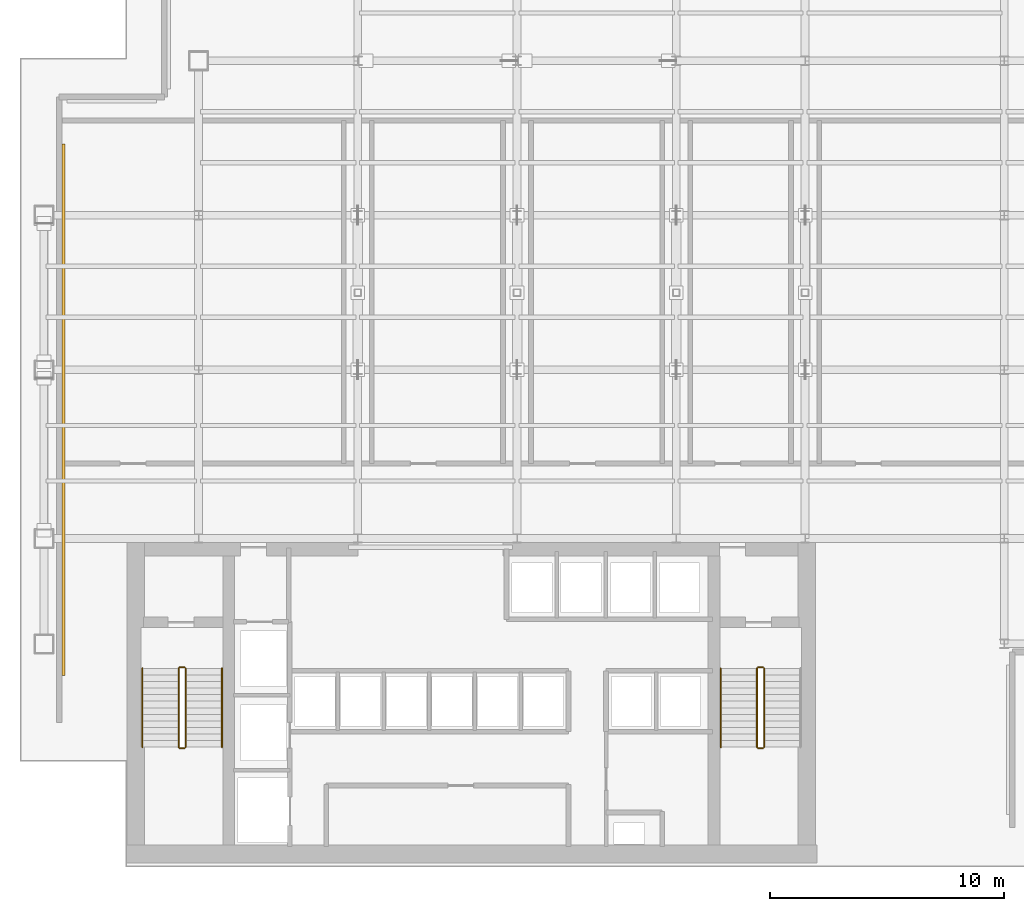
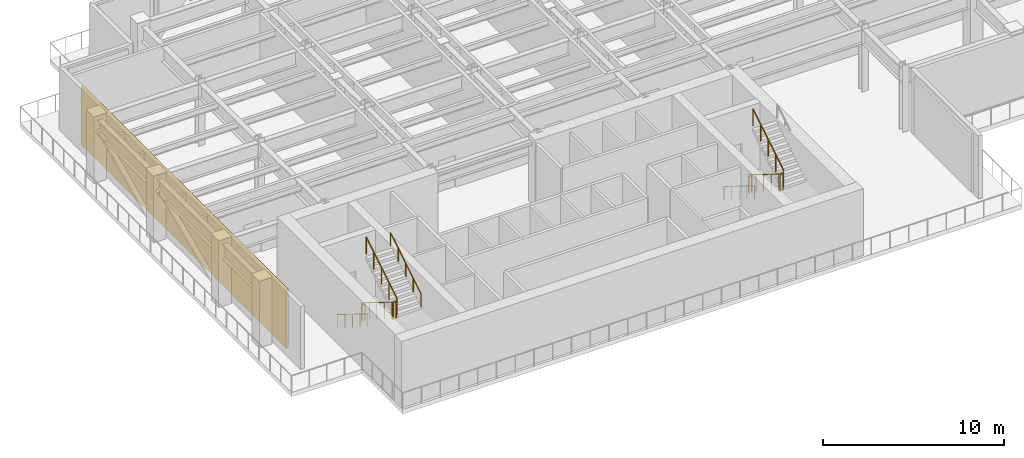
# One storey, part 10 of 12: 11 railings, 1 shading device.
"""IFC4 building model written with IfcOpenShell, lengths in metres."""

import ifcopenshell
import ifcopenshell.guid

model = None  # the IFC model being written
_history = None  # IfcOwnerHistory: only IFC2X3 demands one
_inside = {}  # id of a spatial element -> (the spatial element, [elements in it])
_under = {}  # id of a project, library or spatial element -> (it, [spatial elements below it])
_declared = {}  # id of a project -> (the project, [libraries it declares])
_typed = {}  # id of a type object -> (the type object, [elements of that type])
_made_of = {}  # id of a material, layer set ... -> (it, [elements and type objects made of it])


def new_model(schema):
    """Start an empty IFC model of exactly this schema.

    Asked for "IFC4X3", IfcOpenShell would pick the latest addendum, in which some entities
    have other attributes; the version numbers below select the first issue.
    IFC2X3 requires an IfcOwnerHistory on every rooted entity: one is made here for all.
    """
    global model, _history
    if schema == "IFC4X3":
        model = ifcopenshell.file(schema_version=(4, 3, 0, 0))
    else:
        model = ifcopenshell.file(schema=schema)
    _inside.clear()
    _under.clear()
    _declared.clear()
    _typed.clear()
    _made_of.clear()
    _history = None
    if model.schema == "IFC2X3":
        org = make("IfcOrganization", Name="unknown")
        user = make(
            "IfcPersonAndOrganization",
            ThePerson=make("IfcPerson", FamilyName="unknown"),
            TheOrganization=org,
        )
        app = make(
            "IfcApplication",
            ApplicationDeveloper=org,
            Version="unknown",
            ApplicationFullName="unknown",
            ApplicationIdentifier="unknown",
        )
        _history = make(
            "IfcOwnerHistory",
            OwningUser=user,
            OwningApplication=app,
            ChangeAction="ADDED",
            CreationDate=0,
        )
    return model


def make(cls, **values):
    """One entity of the class cls with the attributes given. An attribute that is None is left unset."""
    return model.create_entity(
        cls, **{name: value for name, value in values.items() if value is not None}
    )


def rooted(cls, **values):
    """An entity with a GlobalId (a new one), such as an element, a storey or a relation."""
    return make(cls, GlobalId=ifcopenshell.guid.new(), OwnerHistory=_history, **values)


def si_unit(unit_type, name, prefix=None):
    """IfcSIUnit, for example si_unit("LENGTHUNIT", "METRE", prefix="MILLI")."""
    return make("IfcSIUnit", UnitType=unit_type, Prefix=prefix, Name=name)


def derived_unit(unit_type, elements):
    """IfcDerivedUnit: a product of units, each with its exponent."""
    return make(
        "IfcDerivedUnit",
        Elements=[
            make("IfcDerivedUnitElement", Unit=unit, Exponent=power)
            for unit, power in elements
        ],
        UnitType=unit_type,
    )


def assignment(units):
    """IfcUnitAssignment: the units of a project."""
    return None if units is None else make("IfcUnitAssignment", Units=units)


def point(xyz):
    """IfcCartesianPoint."""
    return None if xyz is None else make("IfcCartesianPoint", Coordinates=xyz)


def direction(xyz):
    """IfcDirection."""
    return None if xyz is None else make("IfcDirection", DirectionRatios=xyz)


def frame(location, z_axis=None, x_axis=None):
    """IfcAxis2Placement3D, a coordinate frame: its origin and axes. An axis left out is left unset."""
    return make(
        "IfcAxis2Placement3D",
        Location=point(location),
        Axis=direction(z_axis),
        RefDirection=direction(x_axis),
    )


def frame_2d(location, x_axis=None):
    """IfcAxis2Placement2D, a coordinate frame in the plane: its origin and x axis."""
    return make(
        "IfcAxis2Placement2D", Location=point(location), RefDirection=direction(x_axis)
    )


def origin():
    """The frame at (0, 0, 0) with its axes left unset."""
    return frame((0.0, 0.0, 0.0))


def origin_2d():
    """The frame at (0, 0) in the plane with its x axis left unset."""
    return frame_2d((0.0, 0.0))


def place(relative_to, where):
    """IfcLocalPlacement: puts the frame where relative to a parent placement (None: the world)."""
    return make(
        "IfcLocalPlacement", PlacementRelTo=relative_to, RelativePlacement=where
    )


def context(
    kind, dimensions, precision=None, world=None, true_north=None, identifier=None
):
    """IfcGeometricRepresentationContext, for example the 3D "Model" context."""
    return make(
        "IfcGeometricRepresentationContext",
        ContextIdentifier=identifier,
        ContextType=kind,
        CoordinateSpaceDimension=dimensions,
        Precision=precision,
        WorldCoordinateSystem=world,
        TrueNorth=true_north,
    )


def subcontext(parent, identifier, kind, view, scale=None):
    """IfcGeometricRepresentationSubContext, for example "Body" below "Model"."""
    return make(
        "IfcGeometricRepresentationSubContext",
        ContextIdentifier=identifier,
        ContextType=kind,
        ParentContext=parent,
        TargetScale=scale,
        TargetView=view,
    )


def project(units=None, contexts=None):
    """IfcProject with its units and contexts."""
    return rooted(
        "IfcProject",
        Name="project",
        RepresentationContexts=contexts,
        UnitsInContext=assignment(units),
    )


def spatial(cls, under=None, at=None, **own):
    """A site, building, storey or space (cls), placed at a placement, below another one or the project."""
    s = rooted(cls, ObjectPlacement=at, **own)
    if under is not None:
        _under.setdefault(under.id(), (under, []))[1].append(s)
    return s


def profile(cls, at=None, kind="AREA", **sizes):
    """A parametric profile (cls). Its sizes go by their IFC names, for example OverallWidth=200.0."""
    return make(cls, ProfileType=kind, Position=at, **sizes)


def rectangle(**sizes):
    """IfcRectangleProfileDef."""
    return profile("IfcRectangleProfileDef", **sizes)


def circle(**sizes):
    """IfcCircleProfileDef."""
    return profile("IfcCircleProfileDef", **sizes)


def extrude(swept, where, along, depth):
    """IfcExtrudedAreaSolid: the profile swept, set in the frame where, extruded along a direction by depth."""
    return make(
        "IfcExtrudedAreaSolid",
        SweptArea=swept,
        Position=where,
        ExtrudedDirection=direction(along),
        Depth=depth,
    )


def shape(context_of_items, identifier, shape_type, items):
    """IfcShapeRepresentation: the items that make up one representation, for example the "Body"."""
    return make(
        "IfcShapeRepresentation",
        ContextOfItems=context_of_items,
        RepresentationIdentifier=identifier,
        RepresentationType=shape_type,
        Items=items,
    )


def source(mapping_origin, context_of_items, identifier, shape_type, items):
    """IfcRepresentationMap: a shape defined once, which mapped items show again and again."""
    return make(
        "IfcRepresentationMap",
        MappingOrigin=mapping_origin,
        MappedRepresentation=shape(context_of_items, identifier, shape_type, items),
    )


def transform(
    local_origin,
    x_axis=None,
    y_axis=None,
    z_axis=None,
    scale=None,
    scale2=None,
    scale3=None,
    uniform=True,
):
    """IfcCartesianTransformationOperator3D, or its non-uniform kind. x_axis, y_axis, z_axis: its Axis1, 2, 3."""
    if uniform:
        return make(
            "IfcCartesianTransformationOperator3D",
            Axis1=direction(x_axis),
            Axis2=direction(y_axis),
            LocalOrigin=point(local_origin),
            Scale=scale,
            Axis3=direction(z_axis),
        )
    return make(
        "IfcCartesianTransformationOperator3DnonUniform",
        Axis1=direction(x_axis),
        Axis2=direction(y_axis),
        LocalOrigin=point(local_origin),
        Scale=scale,
        Axis3=direction(z_axis),
        Scale2=scale2,
        Scale3=scale3,
    )


def mapped(mapping_source, mapping_target):
    """IfcMappedItem: shows the shape of a source again, moved by a transform."""
    return make(
        "IfcMappedItem", MappingSource=mapping_source, MappingTarget=mapping_target
    )


def material(Name=None, Category=None):
    """IfcMaterial."""
    return make("IfcMaterial", Name=Name, Category=Category)


def made_of(thing, what):
    """Note that an element or type object is made of a material, layer set ...; save() writes the relation."""
    if what is not None:
        _made_of.setdefault(what.id(), (what, []))[1].append(thing)
    return thing


def type_object(cls, material=None, **own):
    """A type object (cls), such as IfcWallType, which elements share."""
    return made_of(rooted(cls, **own), material)


def element(
    cls,
    number,
    at=None,
    inside=None,
    cuts=None,
    type_object=None,
    material=None,
    context=None,
    identifier="Body",
    shape_type=None,
    held_by="IfcProductDefinitionShape",
    body=None,
    shapes=None,
    **own,
):
    """One element of the class cls, such as IfcWall. Its Tag is "e" and its number.

    at: its placement. inside: the storey or other place that contains it. cuts: it is an
    opening in that element (IfcRelVoidsElement). A single representation is given by context,
    identifier, shape_type and body (its items); several are given by shapes. held_by: the class
    of the entity that holds the representations. save() writes the other relations.
    """
    e = rooted(cls, Tag="e%d" % number, ObjectPlacement=at, **own)
    if body is not None:
        shapes = [shape(context, identifier, shape_type, body)]
    if shapes is not None:
        e.Representation = make(held_by, Representations=shapes)
    if inside is not None:
        _inside.setdefault(inside.id(), (inside, []))[1].append(e)
    if cuts is not None:
        rooted(
            "IfcRelVoidsElement", RelatingBuildingElement=cuts, RelatedOpeningElement=e
        )
    if type_object is not None:
        _typed.setdefault(type_object.id(), (type_object, []))[1].append(e)
    return made_of(e, material)


def aggregate(whole, parts):
    """IfcRelAggregates: a whole, such as a stair, and the parts it consists of."""
    return rooted("IfcRelAggregates", RelatingObject=whole, RelatedObjects=parts)


def save(model, path):
    """Write the relations noted so far, then the file.

    IfcRelAggregates (storeys below a building ...), IfcRelContainedInSpatialStructure (elements
    in a storey), IfcRelDefinesByType, IfcRelAssociatesMaterial and IfcRelDeclares: one each for
    every whole, place, type object, material and project.
    """
    for whole, parts in _under.values():
        aggregate(whole, parts)
    for where, things in _inside.values():
        rooted(
            "IfcRelContainedInSpatialStructure",
            RelatedElements=things,
            RelatingStructure=where,
        )
    for kind, things in _typed.values():
        rooted("IfcRelDefinesByType", RelatedObjects=things, RelatingType=kind)
    for what, things in _made_of.values():
        rooted("IfcRelAssociatesMaterial", RelatedObjects=things, RelatingMaterial=what)
    for by, libraries in _declared.values():
        rooted("IfcRelDeclares", RelatingContext=by, RelatedDefinitions=libraries)
    model.write(path)


model = new_model("IFC4")

# Units and contexts
model_context = context("Model", 3, precision=1e-05, world=origin(), true_north=direction((0.0, 1.0)))
body_context = subcontext(model_context, "Body", "Model", "MODEL_VIEW")
ifc_project = project(units=[si_unit("LENGTHUNIT", "METRE"), si_unit("AREAUNIT", "SQUARE_METRE"), si_unit("VOLUMEUNIT", "CUBIC_METRE"), si_unit("PLANEANGLEUNIT", "RADIAN"), si_unit("MASSUNIT", "GRAM", prefix="KILO"), derived_unit("THERMALTRANSMITTANCEUNIT", [(si_unit("POWERUNIT", "WATT"), 1), (si_unit("LENGTHUNIT", "METRE"), -2), (si_unit("THERMODYNAMICTEMPERATUREUNIT", "KELVIN"), -1)])], contexts=[model_context])

# Site, building, storey
site_placement = place(None, origin())
site = spatial("IfcSite", under=ifc_project, at=site_placement, CompositionType="ELEMENT")
building_placement = place(site_placement, origin())
building = spatial("IfcBuilding", under=site, at=building_placement, Name="Skarnbrae Concourse Arena and Tower", CompositionType="ELEMENT")
storey_placement = place(building_placement, frame((0.0, 0.0, 136.10009765625)))
storey = spatial("IfcBuildingStorey", under=building, at=storey_placement, Name="L34", CompositionType="ELEMENT", Elevation=136.10009765625)

# Railings
ifc_material_1 = material(Name="Steel CSA G40.21 350W", Category="steel")
railing_type_1 = type_object("IfcRailingType", Name="RAIL-HANDRAIL-900", PredefinedType="HANDRAIL", material=ifc_material_1)
railing_1_placement = place(storey_placement, frame((5.199951171875, 8.449951171875, 0.173095703125)))
element("IfcRailing", 1, at=railing_1_placement, inside=storey, type_object=railing_type_1, Name="L34 ST-1 stair handrail 1", PredefinedType="HANDRAIL", context=body_context, shape_type="SweptSolid", body=[
    extrude(circle(Radius=0.02392578125, at=origin_2d()), frame((0.0, 0.0, 0.8759765625), z_axis=(0.0, -0.850606129759, 0.525803396734), x_axis=(1.0, 0.0, 0.0)), (0.0, 0.0, 1.0), 3.949951171875),
    extrude(circle(Radius=0.02099609375, at=origin_2d()), origin(), (0.0, 0.0, 1.0), 0.851806640625),
    extrude(circle(Radius=0.02099609375, at=origin_2d()), frame((0.0, -0.83984375, 0.519287109375)), (0.0, 0.0, 1.0), 0.851806640625),
    extrude(circle(Radius=0.02099609375, at=origin_2d()), frame((0.0, -1.679931640625, 1.03857421875)), (0.0, 0.0, 1.0), 0.851806640625),
    extrude(circle(Radius=0.02099609375, at=origin_2d()), frame((0.0, -2.52001953125, 1.5576171875)), (0.0, 0.0, 1.0), 0.851806640625),
    extrude(circle(Radius=0.02099609375, at=origin_2d()), frame((0.0, -3.35986328125, 2.076904296875)), (0.0, 0.0, 1.0), 0.851806640625),
])
railing_2_placement = place(storey_placement, frame((8.60009765625, 5.090087890625, 2.423095703125)))
element("IfcRailing", 2, at=railing_2_placement, inside=storey, type_object=railing_type_1, Name="L34 ST-1 stair handrail 2", PredefinedType="HANDRAIL", context=body_context, shape_type="SweptSolid", body=[
    extrude(circle(Radius=0.02392578125, at=origin_2d()), frame((0.0, 0.0, 0.8759765625), z_axis=(0.0, 0.850606129759, 0.525803396734), x_axis=(-1.0, 0.0, 0.0)), (0.0, 0.0, 1.0), 3.949951171875),
    extrude(circle(Radius=0.02099609375, at=origin_2d()), origin(), (0.0, 0.0, 1.0), 0.851806640625),
    extrude(circle(Radius=0.02099609375, at=origin_2d()), frame((0.0, 0.83984375, 0.519287109375)), (0.0, 0.0, 1.0), 0.851806640625),
    extrude(circle(Radius=0.02099609375, at=origin_2d()), frame((0.0, 1.679931640625, 1.03857421875)), (0.0, 0.0, 1.0), 0.851806640625),
    extrude(circle(Radius=0.02099609375, at=origin_2d()), frame((0.0, 2.52001953125, 1.5576171875)), (0.0, 0.0, 1.0), 0.851806640625),
    extrude(circle(Radius=0.02099609375, at=origin_2d()), frame((0.0, 3.35986328125, 2.076904296875)), (0.0, 0.0, 1.0), 0.851806640625),
])
railing_3_placement = place(storey_placement, frame((29.89990234375, 8.449951171875, 0.173095703125)))
element("IfcRailing", 3, at=railing_3_placement, inside=storey, type_object=railing_type_1, Name="L34 ST-2 stair handrail 1", PredefinedType="HANDRAIL", context=body_context, shape_type="SweptSolid", body=[
    extrude(circle(Radius=0.02392578125, at=origin_2d()), frame((0.0, 0.0, 0.8759765625), z_axis=(0.0, -0.850606129759, 0.525803396734), x_axis=(1.0, 0.0, 0.0)), (0.0, 0.0, 1.0), 3.949951171875),
    extrude(circle(Radius=0.02099609375, at=origin_2d()), origin(), (0.0, 0.0, 1.0), 0.851806640625),
    extrude(circle(Radius=0.02099609375, at=origin_2d()), frame((0.0, -0.83984375, 0.519287109375)), (0.0, 0.0, 1.0), 0.851806640625),
    extrude(circle(Radius=0.02099609375, at=origin_2d()), frame((0.0, -1.679931640625, 1.03857421875)), (0.0, 0.0, 1.0), 0.851806640625),
    extrude(circle(Radius=0.02099609375, at=origin_2d()), frame((0.0, -2.52001953125, 1.5576171875)), (0.0, 0.0, 1.0), 0.851806640625),
    extrude(circle(Radius=0.02099609375, at=origin_2d()), frame((0.0, -3.35986328125, 2.076904296875)), (0.0, 0.0, 1.0), 0.851806640625),
])
railing_type_2 = type_object("IfcRailingType", Name="RAIL-STAIR-GUARD-1150", PredefinedType="GUARDRAIL", material=ifc_material_1)
railing_4_placement = place(storey_placement, frame((6.75, 8.449951171875, 0.173095703125)))
element("IfcRailing", 4, at=railing_4_placement, inside=storey, type_object=railing_type_2, Name="L34 ST-1 stair guard 1", PredefinedType="GUARDRAIL", context=body_context, shape_type="SweptSolid", body=[
    extrude(circle(Radius=0.02392578125, at=origin_2d()), frame((0.0, 0.0, 1.1259765625), z_axis=(0.0, -0.850606129759, 0.525803396734), x_axis=(1.0, 0.0, 0.0)), (0.0, 0.0, 1.0), 3.949951171875),
    extrude(circle(Radius=0.02099609375, at=origin_2d()), origin(), (0.0, 0.0, 1.0), 1.101806640625),
    extrude(circle(Radius=0.02099609375, at=origin_2d()), frame((0.0, -0.83984375, 0.519287109375)), (0.0, 0.0, 1.0), 1.101806640625),
    extrude(circle(Radius=0.02099609375, at=origin_2d()), frame((0.0, -1.679931640625, 1.03857421875)), (0.0, 0.0, 1.0), 1.101806640625),
    extrude(circle(Radius=0.02099609375, at=origin_2d()), frame((0.0, -2.52001953125, 1.5576171875)), (0.0, 0.0, 1.0), 1.101806640625),
    extrude(circle(Radius=0.02099609375, at=origin_2d()), frame((0.0, -3.35986328125, 2.076904296875)), (0.0, 0.0, 1.0), 1.101806640625),
])
railing_5_placement = place(storey_placement, frame((6.800048828125, 5.0400390625, 2.25)))
element("IfcRailing", 5, at=railing_5_placement, inside=storey, type_object=railing_type_2, Name="L34 ST-1 stair guard 2", PredefinedType="GUARDRAIL", context=body_context, shape_type="SweptSolid", body=[
    extrude(circle(Radius=0.02392578125, at=origin_2d()), frame((0.0, 0.0, 1.1259765625), z_axis=(1.0, 0.0, 0.0), x_axis=(0.0, 1.0, 0.0)), (0.0, 0.0, 1.0), 0.199951171875),
    extrude(circle(Radius=0.02099609375, at=origin_2d()), origin(), (0.0, 0.0, 1.0), 1.101806640625),
    extrude(circle(Radius=0.02099609375, at=origin_2d()), frame((0.199951171875, 0.0, 0.0)), (0.0, 0.0, 1.0), 1.101806640625),
])
railing_6_placement = place(storey_placement, frame((7.050048828125, 5.090087890625, 2.423095703125)))
element("IfcRailing", 6, at=railing_6_placement, inside=storey, type_object=railing_type_2, Name="L34 ST-1 stair guard 3", PredefinedType="GUARDRAIL", context=body_context, shape_type="SweptSolid", body=[
    extrude(circle(Radius=0.02392578125, at=origin_2d()), frame((0.0, 0.0, 1.1259765625), z_axis=(0.0, 0.850606129759, 0.525803396734), x_axis=(-1.0, 0.0, 0.0)), (0.0, 0.0, 1.0), 3.949951171875),
    extrude(circle(Radius=0.02099609375, at=origin_2d()), origin(), (0.0, 0.0, 1.0), 1.101806640625),
    extrude(circle(Radius=0.02099609375, at=origin_2d()), frame((0.0, 0.83984375, 0.519287109375)), (0.0, 0.0, 1.0), 1.101806640625),
    extrude(circle(Radius=0.02099609375, at=origin_2d()), frame((0.0, 1.679931640625, 1.03857421875)), (0.0, 0.0, 1.0), 1.101806640625),
    extrude(circle(Radius=0.02099609375, at=origin_2d()), frame((0.0, 2.52001953125, 1.5576171875)), (0.0, 0.0, 1.0), 1.101806640625),
    extrude(circle(Radius=0.02099609375, at=origin_2d()), frame((0.0, 3.35986328125, 2.076904296875)), (0.0, 0.0, 1.0), 1.101806640625),
])
railing_7_placement = place(storey_placement, frame((6.800048828125, 8.5, 0.0)))
element("IfcRailing", 7, at=railing_7_placement, inside=storey, type_object=railing_type_2, Name="L34 ST-1 stair guard 4", PredefinedType="GUARDRAIL", context=body_context, shape_type="SweptSolid", body=[
    extrude(circle(Radius=0.02392578125, at=origin_2d()), frame((0.0, 0.0, 1.1259765625), z_axis=(1.0, 0.0, 0.0), x_axis=(0.0, 1.0, 0.0)), (0.0, 0.0, 1.0), 0.199951171875),
    extrude(circle(Radius=0.02099609375, at=origin_2d()), origin(), (0.0, 0.0, 1.0), 1.101806640625),
    extrude(circle(Radius=0.02099609375, at=origin_2d()), frame((0.199951171875, 0.0, 0.0)), (0.0, 0.0, 1.0), 1.101806640625),
])
railing_8_placement = place(storey_placement, frame((31.449951171875, 8.449951171875, 0.173095703125)))
element("IfcRailing", 8, at=railing_8_placement, inside=storey, type_object=railing_type_2, Name="L34 ST-2 stair guard 1", PredefinedType="GUARDRAIL", context=body_context, shape_type="SweptSolid", body=[
    extrude(circle(Radius=0.02392578125, at=origin_2d()), frame((0.0, 0.0, 1.1259765625), z_axis=(0.0, -0.850606129759, 0.525803396734), x_axis=(1.0, 0.0, 0.0)), (0.0, 0.0, 1.0), 3.949951171875),
    extrude(circle(Radius=0.02099609375, at=origin_2d()), origin(), (0.0, 0.0, 1.0), 1.101806640625),
    extrude(circle(Radius=0.02099609375, at=origin_2d()), frame((0.0, -0.83984375, 0.519287109375)), (0.0, 0.0, 1.0), 1.101806640625),
    extrude(circle(Radius=0.02099609375, at=origin_2d()), frame((0.0, -1.679931640625, 1.03857421875)), (0.0, 0.0, 1.0), 1.101806640625),
    extrude(circle(Radius=0.02099609375, at=origin_2d()), frame((0.0, -2.52001953125, 1.5576171875)), (0.0, 0.0, 1.0), 1.101806640625),
    extrude(circle(Radius=0.02099609375, at=origin_2d()), frame((0.0, -3.35986328125, 2.076904296875)), (0.0, 0.0, 1.0), 1.101806640625),
])
railing_9_placement = place(storey_placement, frame((31.5, 5.0400390625, 2.25)))
element("IfcRailing", 9, at=railing_9_placement, inside=storey, type_object=railing_type_2, Name="L34 ST-2 stair guard 2", PredefinedType="GUARDRAIL", context=body_context, shape_type="SweptSolid", body=[
    extrude(circle(Radius=0.02392578125, at=origin_2d()), frame((0.0, 0.0, 1.1259765625), z_axis=(1.0, 0.0, 0.0), x_axis=(0.0, 1.0, 0.0)), (0.0, 0.0, 1.0), 0.199951171875),
    extrude(circle(Radius=0.02099609375, at=origin_2d()), origin(), (0.0, 0.0, 1.0), 1.101806640625),
    extrude(circle(Radius=0.02099609375, at=origin_2d()), frame((0.199951171875, 0.0, 0.0)), (0.0, 0.0, 1.0), 1.101806640625),
])
railing_10_placement = place(storey_placement, frame((31.75, 5.090087890625, 2.423095703125)))
element("IfcRailing", 10, at=railing_10_placement, inside=storey, type_object=railing_type_2, Name="L34 ST-2 stair guard 3", PredefinedType="GUARDRAIL", context=body_context, shape_type="SweptSolid", body=[
    extrude(circle(Radius=0.02392578125, at=origin_2d()), frame((0.0, 0.0, 1.1259765625), z_axis=(0.0, 0.850606129759, 0.525803396734), x_axis=(-1.0, 0.0, 0.0)), (0.0, 0.0, 1.0), 3.949951171875),
    extrude(circle(Radius=0.02099609375, at=origin_2d()), origin(), (0.0, 0.0, 1.0), 1.101806640625),
    extrude(circle(Radius=0.02099609375, at=origin_2d()), frame((0.0, 0.83984375, 0.519287109375)), (0.0, 0.0, 1.0), 1.101806640625),
    extrude(circle(Radius=0.02099609375, at=origin_2d()), frame((0.0, 1.679931640625, 1.03857421875)), (0.0, 0.0, 1.0), 1.101806640625),
    extrude(circle(Radius=0.02099609375, at=origin_2d()), frame((0.0, 2.52001953125, 1.5576171875)), (0.0, 0.0, 1.0), 1.101806640625),
    extrude(circle(Radius=0.02099609375, at=origin_2d()), frame((0.0, 3.35986328125, 2.076904296875)), (0.0, 0.0, 1.0), 1.101806640625),
])
railing_11_placement = place(storey_placement, frame((31.5, 8.5, 0.0)))
element("IfcRailing", 11, at=railing_11_placement, inside=storey, type_object=railing_type_2, Name="L34 ST-2 stair guard 4", PredefinedType="GUARDRAIL", context=body_context, shape_type="SweptSolid", body=[
    extrude(circle(Radius=0.02392578125, at=origin_2d()), frame((0.0, 0.0, 1.1259765625), z_axis=(1.0, 0.0, 0.0), x_axis=(0.0, 1.0, 0.0)), (0.0, 0.0, 1.0), 0.199951171875),
    extrude(circle(Radius=0.02099609375, at=origin_2d()), origin(), (0.0, 0.0, 1.0), 1.101806640625),
    extrude(circle(Radius=0.02099609375, at=origin_2d()), frame((0.199951171875, 0.0, 0.0)), (0.0, 0.0, 1.0), 1.101806640625),
])

# Shading device
ifc_material_2 = material(Name="Bronze anodised aluminium 6063-T6", Category="aluminium")
shading_device_type = type_object("IfcShadingDeviceType", Name="SHD-BRONZE-LOUVRE-150", PredefinedType="USERDEFINED", material=ifc_material_2)
shared_shape = source(origin(), body_context, "Body", "SweptSolid", [
    extrude(rectangle(XDim=22.695068359375, YDim=0.139892578125, at=origin_2d()), origin(), (0.0, 0.0, 1.0), 3.949951171875),
])
shading_device_placement = place(storey_placement, frame((1.830078125, 19.5, 0.14990234375), z_axis=(0.0, 0.0, 1.0), x_axis=(0.0, 1.0, 0.0)))
element("IfcShadingDevice", 12, at=shading_device_placement, inside=storey, type_object=shading_device_type, Name="L34 Refuge band bronze weather louvre 03", ObjectType="LOUVRE", PredefinedType="USERDEFINED", context=body_context, shape_type="MappedRepresentation", body=[
    mapped(shared_shape, transform((0.0, 0.0, 0.0))),
])

save(model, "model.ifc")
